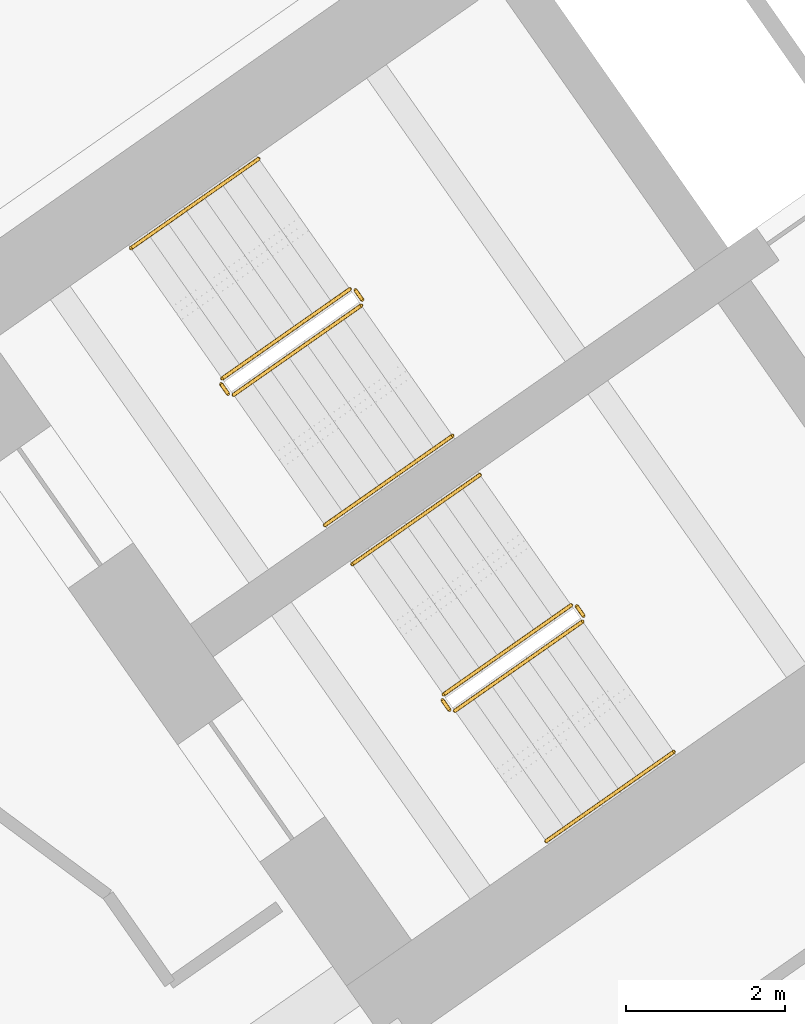
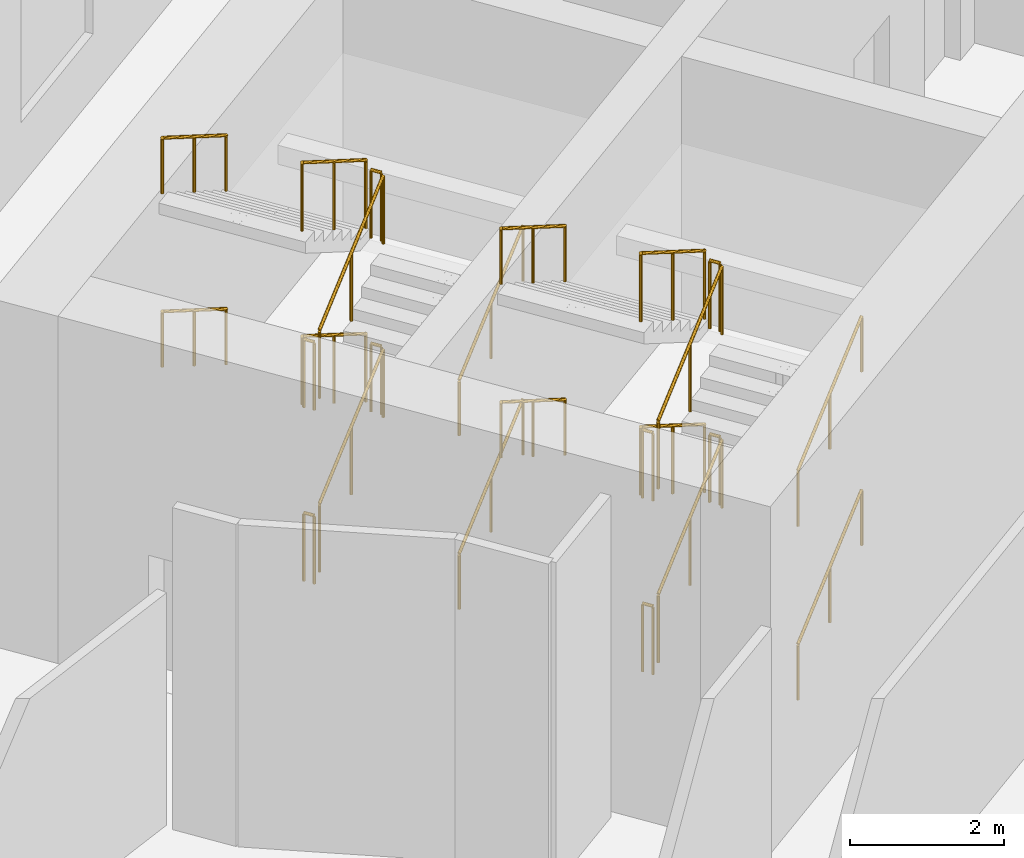
# One storey, part 24 of 26: 24 railings.
"""IFC4 building model written with IfcOpenShell, lengths in metres."""

import ifcopenshell
import ifcopenshell.guid

model = None  # the IFC model being written
_history = None  # IfcOwnerHistory: only IFC2X3 demands one
_inside = {}  # id of a spatial element -> (the spatial element, [elements in it])
_under = {}  # id of a project, library or spatial element -> (it, [spatial elements below it])
_declared = {}  # id of a project -> (the project, [libraries it declares])
_typed = {}  # id of a type object -> (the type object, [elements of that type])
_made_of = {}  # id of a material, layer set ... -> (it, [elements and type objects made of it])


def new_model(schema):
    """Start an empty IFC model of exactly this schema.

    Asked for "IFC4X3", IfcOpenShell would pick the latest addendum, in which some entities
    have other attributes; the version numbers below select the first issue.
    IFC2X3 requires an IfcOwnerHistory on every rooted entity: one is made here for all.
    """
    global model, _history
    if schema == "IFC4X3":
        model = ifcopenshell.file(schema_version=(4, 3, 0, 0))
    else:
        model = ifcopenshell.file(schema=schema)
    _inside.clear()
    _under.clear()
    _declared.clear()
    _typed.clear()
    _made_of.clear()
    _history = None
    if model.schema == "IFC2X3":
        org = make("IfcOrganization", Name="unknown")
        user = make(
            "IfcPersonAndOrganization",
            ThePerson=make("IfcPerson", FamilyName="unknown"),
            TheOrganization=org,
        )
        app = make(
            "IfcApplication",
            ApplicationDeveloper=org,
            Version="unknown",
            ApplicationFullName="unknown",
            ApplicationIdentifier="unknown",
        )
        _history = make(
            "IfcOwnerHistory",
            OwningUser=user,
            OwningApplication=app,
            ChangeAction="ADDED",
            CreationDate=0,
        )
    return model


def make(cls, **values):
    """One entity of the class cls with the attributes given. An attribute that is None is left unset."""
    return model.create_entity(
        cls, **{name: value for name, value in values.items() if value is not None}
    )


def rooted(cls, **values):
    """An entity with a GlobalId (a new one), such as an element, a storey or a relation."""
    return make(cls, GlobalId=ifcopenshell.guid.new(), OwnerHistory=_history, **values)


def si_unit(unit_type, name, prefix=None):
    """IfcSIUnit, for example si_unit("LENGTHUNIT", "METRE", prefix="MILLI")."""
    return make("IfcSIUnit", UnitType=unit_type, Prefix=prefix, Name=name)


def assignment(units):
    """IfcUnitAssignment: the units of a project."""
    return None if units is None else make("IfcUnitAssignment", Units=units)


def point(xyz):
    """IfcCartesianPoint."""
    return None if xyz is None else make("IfcCartesianPoint", Coordinates=xyz)


def direction(xyz):
    """IfcDirection."""
    return None if xyz is None else make("IfcDirection", DirectionRatios=xyz)


def frame(location, z_axis=None, x_axis=None):
    """IfcAxis2Placement3D, a coordinate frame: its origin and axes. An axis left out is left unset."""
    return make(
        "IfcAxis2Placement3D",
        Location=point(location),
        Axis=direction(z_axis),
        RefDirection=direction(x_axis),
    )


def frame_2d(location, x_axis=None):
    """IfcAxis2Placement2D, a coordinate frame in the plane: its origin and x axis."""
    return make(
        "IfcAxis2Placement2D", Location=point(location), RefDirection=direction(x_axis)
    )


def origin():
    """The frame at (0, 0, 0) with its axes left unset."""
    return frame((0.0, 0.0, 0.0))


def origin_2d():
    """The frame at (0, 0) in the plane with its x axis left unset."""
    return frame_2d((0.0, 0.0))


def place(relative_to, where):
    """IfcLocalPlacement: puts the frame where relative to a parent placement (None: the world)."""
    return make(
        "IfcLocalPlacement", PlacementRelTo=relative_to, RelativePlacement=where
    )


def context(
    kind, dimensions, precision=None, world=None, true_north=None, identifier=None
):
    """IfcGeometricRepresentationContext, for example the 3D "Model" context."""
    return make(
        "IfcGeometricRepresentationContext",
        ContextIdentifier=identifier,
        ContextType=kind,
        CoordinateSpaceDimension=dimensions,
        Precision=precision,
        WorldCoordinateSystem=world,
        TrueNorth=true_north,
    )


def subcontext(parent, identifier, kind, view, scale=None):
    """IfcGeometricRepresentationSubContext, for example "Body" below "Model"."""
    return make(
        "IfcGeometricRepresentationSubContext",
        ContextIdentifier=identifier,
        ContextType=kind,
        ParentContext=parent,
        TargetScale=scale,
        TargetView=view,
    )


def project(units=None, contexts=None):
    """IfcProject with its units and contexts."""
    return rooted(
        "IfcProject",
        Name="project",
        RepresentationContexts=contexts,
        UnitsInContext=assignment(units),
    )


def spatial(cls, under=None, at=None, **own):
    """A site, building, storey or space (cls), placed at a placement, below another one or the project."""
    s = rooted(cls, ObjectPlacement=at, **own)
    if under is not None:
        _under.setdefault(under.id(), (under, []))[1].append(s)
    return s


def profile(cls, at=None, kind="AREA", **sizes):
    """A parametric profile (cls). Its sizes go by their IFC names, for example OverallWidth=200.0."""
    return make(cls, ProfileType=kind, Position=at, **sizes)


def circle(**sizes):
    """IfcCircleProfileDef."""
    return profile("IfcCircleProfileDef", **sizes)


def extrude(swept, where, along, depth):
    """IfcExtrudedAreaSolid: the profile swept, set in the frame where, extruded along a direction by depth."""
    return make(
        "IfcExtrudedAreaSolid",
        SweptArea=swept,
        Position=where,
        ExtrudedDirection=direction(along),
        Depth=depth,
    )


def shape(context_of_items, identifier, shape_type, items):
    """IfcShapeRepresentation: the items that make up one representation, for example the "Body"."""
    return make(
        "IfcShapeRepresentation",
        ContextOfItems=context_of_items,
        RepresentationIdentifier=identifier,
        RepresentationType=shape_type,
        Items=items,
    )


def material(Name=None, Category=None):
    """IfcMaterial."""
    return make("IfcMaterial", Name=Name, Category=Category)


def made_of(thing, what):
    """Note that an element or type object is made of a material, layer set ...; save() writes the relation."""
    if what is not None:
        _made_of.setdefault(what.id(), (what, []))[1].append(thing)
    return thing


def type_object(cls, material=None, **own):
    """A type object (cls), such as IfcWallType, which elements share."""
    return made_of(rooted(cls, **own), material)


def element(
    cls,
    number,
    at=None,
    inside=None,
    cuts=None,
    type_object=None,
    material=None,
    context=None,
    identifier="Body",
    shape_type=None,
    held_by="IfcProductDefinitionShape",
    body=None,
    shapes=None,
    **own,
):
    """One element of the class cls, such as IfcWall. Its Tag is "e" and its number.

    at: its placement. inside: the storey or other place that contains it. cuts: it is an
    opening in that element (IfcRelVoidsElement). A single representation is given by context,
    identifier, shape_type and body (its items); several are given by shapes. held_by: the class
    of the entity that holds the representations. save() writes the other relations.
    """
    e = rooted(cls, Tag="e%d" % number, ObjectPlacement=at, **own)
    if body is not None:
        shapes = [shape(context, identifier, shape_type, body)]
    if shapes is not None:
        e.Representation = make(held_by, Representations=shapes)
    if inside is not None:
        _inside.setdefault(inside.id(), (inside, []))[1].append(e)
    if cuts is not None:
        rooted(
            "IfcRelVoidsElement", RelatingBuildingElement=cuts, RelatedOpeningElement=e
        )
    if type_object is not None:
        _typed.setdefault(type_object.id(), (type_object, []))[1].append(e)
    return made_of(e, material)


def aggregate(whole, parts):
    """IfcRelAggregates: a whole, such as a stair, and the parts it consists of."""
    return rooted("IfcRelAggregates", RelatingObject=whole, RelatedObjects=parts)


def save(model, path):
    """Write the relations noted so far, then the file.

    IfcRelAggregates (storeys below a building ...), IfcRelContainedInSpatialStructure (elements
    in a storey), IfcRelDefinesByType, IfcRelAssociatesMaterial and IfcRelDeclares: one each for
    every whole, place, type object, material and project.
    """
    for whole, parts in _under.values():
        aggregate(whole, parts)
    for where, things in _inside.values():
        rooted(
            "IfcRelContainedInSpatialStructure",
            RelatedElements=things,
            RelatingStructure=where,
        )
    for kind, things in _typed.values():
        rooted("IfcRelDefinesByType", RelatedObjects=things, RelatingType=kind)
    for what, things in _made_of.values():
        rooted("IfcRelAssociatesMaterial", RelatedObjects=things, RelatingMaterial=what)
    for by, libraries in _declared.values():
        rooted("IfcRelDeclares", RelatingContext=by, RelatedDefinitions=libraries)
    model.write(path)


model = new_model("IFC4")

# Units and contexts
model_context = context("Model", 3, precision=1e-05, world=origin(), true_north=direction((0.0, 1.0)))
body_context = subcontext(model_context, "Body", "Model", "MODEL_VIEW")
ifc_project = project(units=[si_unit("LENGTHUNIT", "METRE"), si_unit("AREAUNIT", "SQUARE_METRE"), si_unit("VOLUMEUNIT", "CUBIC_METRE"), si_unit("PLANEANGLEUNIT", "RADIAN"), si_unit("MASSUNIT", "GRAM", prefix="KILO")], contexts=[model_context])

# Site, building, storey
site_placement = place(None, origin())
site = spatial("IfcSite", under=ifc_project, at=site_placement, CompositionType="ELEMENT")
building_placement = place(site_placement, origin())
building = spatial("IfcBuilding", under=site, at=building_placement, Name="Tel Ilan Convention Tower", CompositionType="ELEMENT")
storey_placement = place(building_placement, frame((0.0, 0.0, 37.5)))
storey = spatial("IfcBuildingStorey", under=building, at=storey_placement, Name="L05", CompositionType="ELEMENT", Elevation=37.5)

# Railings
ifc_material_1 = material(Name="Stainless Steel Grade 316", Category="steel")
railing_type_1 = type_object("IfcRailingType", Name="Stainless Steel Stair Guard 1100 mm", PredefinedType="GUARDRAIL", material=ifc_material_1)
railing_1_placement = place(storey_placement, frame((-23.535400390625, -8.056396484375, 0.171875)))
element("IfcRailing", 1, at=railing_1_placement, inside=storey, type_object=railing_type_1, Name="L05 S1 stair guard 1", PredefinedType="GUARDRAIL", context=body_context, shape_type="SweptSolid", body=[
    extrude(circle(Radius=0.02392578125, at=origin_2d()), frame((0.0, 0.0, 1.076171875), z_axis=(0.698094737943, 0.488857400886, 0.523146421621), x_axis=(-0.573612813533, 0.819126571508, 0.0)), (0.0, 0.0, 1.0), 2.2998046875),
    extrude(circle(Radius=0.02099609375, at=origin_2d()), origin(), (0.0, 0.0, 1.0), 1.052001953125),
    extrude(circle(Radius=0.02099609375, at=origin_2d()), frame((0.802734375, 0.56201171875, 0.6015625)), (0.0, 0.0, 1.0), 1.052001953125),
    extrude(circle(Radius=0.02099609375, at=origin_2d()), frame((1.60546875, 1.124267578125, 1.203125)), (0.0, 0.0, 1.0), 1.052001953125),
])
railing_2_placement = place(storey_placement, frame((-21.91748046875, -6.862548828125, 1.375)))
element("IfcRailing", 2, at=railing_2_placement, inside=storey, type_object=railing_type_1, Name="L05 S1 stair guard 2", PredefinedType="GUARDRAIL", context=body_context, shape_type="SweptSolid", body=[
    extrude(circle(Radius=0.02392578125, at=origin_2d()), frame((0.0, 0.0, 1.076171875), z_axis=(-0.57368046593, 0.819079192149, 0.0), x_axis=(-0.819079192149, -0.57368046593, 0.0)), (0.0, 0.0, 1.0), 0.150146484375),
    extrude(circle(Radius=0.02099609375, at=origin_2d()), origin(), (0.0, 0.0, 1.0), 1.052001953125),
    extrude(circle(Radius=0.02099609375, at=origin_2d()), frame((-0.086181640625, 0.123046875, 0.0)), (0.0, 0.0, 1.0), 1.052001953125),
])
railing_3_placement = place(storey_placement, frame((-22.0732421875, -6.727294921875, 1.546875)))
element("IfcRailing", 3, at=railing_3_placement, inside=storey, type_object=railing_type_1, Name="L05 S1 stair guard 3", PredefinedType="GUARDRAIL", context=body_context, shape_type="SweptSolid", body=[
    extrude(circle(Radius=0.02392578125, at=origin_2d()), frame((0.0, 0.0, 1.076171875), z_axis=(-0.698094737943, -0.488857400886, 0.523146421621), x_axis=(0.573612813533, -0.819126571508, 0.0)), (0.0, 0.0, 1.0), 2.2998046875),
    extrude(circle(Radius=0.02099609375, at=origin_2d()), origin(), (0.0, 0.0, 1.0), 1.052001953125),
    extrude(circle(Radius=0.02099609375, at=origin_2d()), frame((-0.802734375, -0.56201171875, 0.6015625)), (0.0, 0.0, 1.0), 1.052001953125),
    extrude(circle(Radius=0.02099609375, at=origin_2d()), frame((-1.60546875, -1.124267578125, 1.203125)), (0.0, 0.0, 1.0), 1.052001953125),
])
railing_4_placement = place(storey_placement, frame((-23.60498046875, -8.0439453125, 2.75)))
element("IfcRailing", 4, at=railing_4_placement, inside=storey, type_object=railing_type_1, Name="L05 S1 stair guard 4", PredefinedType="GUARDRAIL", context=body_context, shape_type="SweptSolid", body=[
    extrude(circle(Radius=0.02392578125, at=origin_2d()), frame((0.0, 0.0, 1.076171875), z_axis=(-0.574444878118, 0.818543268254, 0.0), x_axis=(-0.818543268254, -0.574444878118, 0.0)), (0.0, 0.0, 1.0), 0.150146484375),
    extrude(circle(Radius=0.02099609375, at=origin_2d()), origin(), (0.0, 0.0, 1.0), 1.052001953125),
    extrude(circle(Radius=0.02099609375, at=origin_2d()), frame((-0.086181640625, 0.122802734375, 0.0)), (0.0, 0.0, 1.0), 1.052001953125),
])
railing_5_placement = place(storey_placement, frame((-23.535400390625, -8.056396484375, 2.921875)))
element("IfcRailing", 5, at=railing_5_placement, inside=storey, type_object=railing_type_1, Name="L05 S1 stair guard 5", PredefinedType="GUARDRAIL", context=body_context, shape_type="SweptSolid", body=[
    extrude(circle(Radius=0.02392578125, at=origin_2d()), frame((0.0, 0.0, 1.076171875), z_axis=(0.698094737943, 0.488857400886, 0.523146421621), x_axis=(-0.573612813533, 0.819126571508, 0.0)), (0.0, 0.0, 1.0), 2.2998046875),
    extrude(circle(Radius=0.02099609375, at=origin_2d()), origin(), (0.0, 0.0, 1.0), 1.052001953125),
    extrude(circle(Radius=0.02099609375, at=origin_2d()), frame((0.802734375, 0.56201171875, 0.6015625)), (0.0, 0.0, 1.0), 1.052001953125),
    extrude(circle(Radius=0.02099609375, at=origin_2d()), frame((1.60546875, 1.124267578125, 1.203125)), (0.0, 0.0, 1.0), 1.052001953125),
])
railing_6_placement = place(storey_placement, frame((-21.91748046875, -6.862548828125, 4.125)))
element("IfcRailing", 6, at=railing_6_placement, inside=storey, type_object=railing_type_1, Name="L05 S1 stair guard 6", PredefinedType="GUARDRAIL", context=body_context, shape_type="SweptSolid", body=[
    extrude(circle(Radius=0.02392578125, at=origin_2d()), frame((0.0, 0.0, 1.076171875), z_axis=(-0.57368046593, 0.819079192149, 0.0), x_axis=(-0.819079192149, -0.57368046593, 0.0)), (0.0, 0.0, 1.0), 0.150146484375),
    extrude(circle(Radius=0.02099609375, at=origin_2d()), origin(), (0.0, 0.0, 1.0), 1.052001953125),
    extrude(circle(Radius=0.02099609375, at=origin_2d()), frame((-0.086181640625, 0.123046875, 0.0)), (0.0, 0.0, 1.0), 1.052001953125),
])
railing_7_placement = place(storey_placement, frame((-22.0732421875, -6.727294921875, 4.296875)))
element("IfcRailing", 7, at=railing_7_placement, inside=storey, type_object=railing_type_1, Name="L05 S1 stair guard 7", PredefinedType="GUARDRAIL", context=body_context, shape_type="SweptSolid", body=[
    extrude(circle(Radius=0.02392578125, at=origin_2d()), frame((0.0, 0.0, 1.076171875), z_axis=(-0.698094737943, -0.488857400886, 0.523146421621), x_axis=(0.573612813533, -0.819126571508, 0.0)), (0.0, 0.0, 1.0), 2.2998046875),
    extrude(circle(Radius=0.02099609375, at=origin_2d()), origin(), (0.0, 0.0, 1.0), 1.052001953125),
    extrude(circle(Radius=0.02099609375, at=origin_2d()), frame((-0.802734375, -0.56201171875, 0.6015625)), (0.0, 0.0, 1.0), 1.052001953125),
    extrude(circle(Radius=0.02099609375, at=origin_2d()), frame((-1.60546875, -1.124267578125, 1.203125)), (0.0, 0.0, 1.0), 1.052001953125),
])
railing_8_placement = place(storey_placement, frame((-23.60498046875, -8.0439453125, 0.0)))
element("IfcRailing", 8, at=railing_8_placement, inside=storey, type_object=railing_type_1, Name="L05 S1 stair guard 8", PredefinedType="GUARDRAIL", context=body_context, shape_type="SweptSolid", body=[
    extrude(circle(Radius=0.02392578125, at=origin_2d()), frame((0.0, 0.0, 1.076171875), z_axis=(-0.574444878118, 0.818543268254, 0.0), x_axis=(-0.818543268254, -0.574444878118, 0.0)), (0.0, 0.0, 1.0), 0.150146484375),
    extrude(circle(Radius=0.02099609375, at=origin_2d()), origin(), (0.0, 0.0, 1.0), 1.052001953125),
    extrude(circle(Radius=0.02099609375, at=origin_2d()), frame((-0.086181640625, 0.122802734375, 0.0)), (0.0, 0.0, 1.0), 1.052001953125),
])
railing_9_placement = place(storey_placement, frame((-20.753662109375, -12.029296875, 0.171875)))
element("IfcRailing", 9, at=railing_9_placement, inside=storey, type_object=railing_type_1, Name="L05 S2 stair guard 1", PredefinedType="GUARDRAIL", context=body_context, shape_type="SweptSolid", body=[
    extrude(circle(Radius=0.02392578125, at=origin_2d()), frame((0.0, 0.0, 1.076171875), z_axis=(0.698149155229, 0.488821173762, 0.523107653485), x_axis=(-0.573554290663, 0.819167550421, 0.0)), (0.0, 0.0, 1.0), 2.300048828125),
    extrude(circle(Radius=0.02099609375, at=origin_2d()), origin(), (0.0, 0.0, 1.0), 1.052001953125),
    extrude(circle(Radius=0.02099609375, at=origin_2d()), frame((0.802734375, 0.56201171875, 0.6015625)), (0.0, 0.0, 1.0), 1.052001953125),
    extrude(circle(Radius=0.02099609375, at=origin_2d()), frame((1.605712890625, 1.124267578125, 1.203125)), (0.0, 0.0, 1.0), 1.052001953125),
])
railing_10_placement = place(storey_placement, frame((-19.1357421875, -10.83544921875, 1.375)))
element("IfcRailing", 10, at=railing_10_placement, inside=storey, type_object=railing_type_1, Name="L05 S2 stair guard 2", PredefinedType="GUARDRAIL", context=body_context, shape_type="SweptSolid", body=[
    extrude(circle(Radius=0.02392578125, at=origin_2d()), frame((0.0, 0.0, 1.076171875), z_axis=(-0.572588637393, 0.819842821722, 0.0), x_axis=(-0.819842821722, -0.572588637393, 0.0)), (0.0, 0.0, 1.0), 0.150146484375),
    extrude(circle(Radius=0.02099609375, at=origin_2d()), origin(), (0.0, 0.0, 1.0), 1.052001953125),
    extrude(circle(Radius=0.02099609375, at=origin_2d()), frame((-0.0859375, 0.123046875, 0.0)), (0.0, 0.0, 1.0), 1.052001953125),
])
railing_11_placement = place(storey_placement, frame((-19.29150390625, -10.7001953125, 1.546875)))
element("IfcRailing", 11, at=railing_11_placement, inside=storey, type_object=railing_type_1, Name="L05 S2 stair guard 3", PredefinedType="GUARDRAIL", context=body_context, shape_type="SweptSolid", body=[
    extrude(circle(Radius=0.02392578125, at=origin_2d()), frame((0.0, 0.0, 1.076171875), z_axis=(-0.698094737943, -0.488857400886, 0.523146421621), x_axis=(0.573612813533, -0.819126571508, 0.0)), (0.0, 0.0, 1.0), 2.2998046875),
    extrude(circle(Radius=0.02099609375, at=origin_2d()), origin(), (0.0, 0.0, 1.0), 1.052001953125),
    extrude(circle(Radius=0.02099609375, at=origin_2d()), frame((-0.802734375, -0.56201171875, 0.6015625)), (0.0, 0.0, 1.0), 1.052001953125),
    extrude(circle(Radius=0.02099609375, at=origin_2d()), frame((-1.60546875, -1.124267578125, 1.203125)), (0.0, 0.0, 1.0), 1.052001953125),
])
railing_12_placement = place(storey_placement, frame((-20.8232421875, -12.016845703125, 2.75)))
element("IfcRailing", 12, at=railing_12_placement, inside=storey, type_object=railing_type_1, Name="L05 S2 stair guard 4", PredefinedType="GUARDRAIL", context=body_context, shape_type="SweptSolid", body=[
    extrude(circle(Radius=0.02392578125, at=origin_2d()), frame((0.0, 0.0, 1.076171875), z_axis=(-0.573353020881, 0.819308436089, 0.0), x_axis=(-0.819308436089, -0.573353020881, 0.0)), (0.0, 0.0, 1.0), 0.14990234375),
    extrude(circle(Radius=0.02099609375, at=origin_2d()), origin(), (0.0, 0.0, 1.0), 1.052001953125),
    extrude(circle(Radius=0.02099609375, at=origin_2d()), frame((-0.0859375, 0.122802734375, 0.0)), (0.0, 0.0, 1.0), 1.052001953125),
])
railing_13_placement = place(storey_placement, frame((-20.753662109375, -12.029296875, 2.921875)))
element("IfcRailing", 13, at=railing_13_placement, inside=storey, type_object=railing_type_1, Name="L05 S2 stair guard 5", PredefinedType="GUARDRAIL", context=body_context, shape_type="SweptSolid", body=[
    extrude(circle(Radius=0.02392578125, at=origin_2d()), frame((0.0, 0.0, 1.076171875), z_axis=(0.698149155229, 0.488821173762, 0.523107653485), x_axis=(-0.573554290663, 0.819167550421, 0.0)), (0.0, 0.0, 1.0), 2.300048828125),
    extrude(circle(Radius=0.02099609375, at=origin_2d()), origin(), (0.0, 0.0, 1.0), 1.052001953125),
    extrude(circle(Radius=0.02099609375, at=origin_2d()), frame((0.802734375, 0.56201171875, 0.6015625)), (0.0, 0.0, 1.0), 1.052001953125),
    extrude(circle(Radius=0.02099609375, at=origin_2d()), frame((1.605712890625, 1.124267578125, 1.203125)), (0.0, 0.0, 1.0), 1.052001953125),
])
railing_14_placement = place(storey_placement, frame((-19.1357421875, -10.83544921875, 4.125)))
element("IfcRailing", 14, at=railing_14_placement, inside=storey, type_object=railing_type_1, Name="L05 S2 stair guard 6", PredefinedType="GUARDRAIL", context=body_context, shape_type="SweptSolid", body=[
    extrude(circle(Radius=0.02392578125, at=origin_2d()), frame((0.0, 0.0, 1.076171875), z_axis=(-0.572588637393, 0.819842821722, 0.0), x_axis=(-0.819842821722, -0.572588637393, 0.0)), (0.0, 0.0, 1.0), 0.150146484375),
    extrude(circle(Radius=0.02099609375, at=origin_2d()), origin(), (0.0, 0.0, 1.0), 1.052001953125),
    extrude(circle(Radius=0.02099609375, at=origin_2d()), frame((-0.0859375, 0.123046875, 0.0)), (0.0, 0.0, 1.0), 1.052001953125),
])
railing_15_placement = place(storey_placement, frame((-19.29150390625, -10.7001953125, 4.296875)))
element("IfcRailing", 15, at=railing_15_placement, inside=storey, type_object=railing_type_1, Name="L05 S2 stair guard 7", PredefinedType="GUARDRAIL", context=body_context, shape_type="SweptSolid", body=[
    extrude(circle(Radius=0.02392578125, at=origin_2d()), frame((0.0, 0.0, 1.076171875), z_axis=(-0.698094737943, -0.488857400886, 0.523146421621), x_axis=(0.573612813533, -0.819126571508, 0.0)), (0.0, 0.0, 1.0), 2.2998046875),
    extrude(circle(Radius=0.02099609375, at=origin_2d()), origin(), (0.0, 0.0, 1.0), 1.052001953125),
    extrude(circle(Radius=0.02099609375, at=origin_2d()), frame((-0.802734375, -0.56201171875, 0.6015625)), (0.0, 0.0, 1.0), 1.052001953125),
    extrude(circle(Radius=0.02099609375, at=origin_2d()), frame((-1.60546875, -1.124267578125, 1.203125)), (0.0, 0.0, 1.0), 1.052001953125),
])
railing_16_placement = place(storey_placement, frame((-20.8232421875, -12.016845703125, 0.0)))
element("IfcRailing", 16, at=railing_16_placement, inside=storey, type_object=railing_type_1, Name="L05 S2 stair guard 8", PredefinedType="GUARDRAIL", context=body_context, shape_type="SweptSolid", body=[
    extrude(circle(Radius=0.02392578125, at=origin_2d()), frame((0.0, 0.0, 1.076171875), z_axis=(-0.573353020881, 0.819308436089, 0.0), x_axis=(-0.819308436089, -0.573353020881, 0.0)), (0.0, 0.0, 1.0), 0.14990234375),
    extrude(circle(Radius=0.02099609375, at=origin_2d()), origin(), (0.0, 0.0, 1.0), 1.052001953125),
    extrude(circle(Radius=0.02099609375, at=origin_2d()), frame((-0.0859375, 0.122802734375, 0.0)), (0.0, 0.0, 1.0), 1.052001953125),
])
ifc_material_2 = material(Name="Stainless Steel Grade 316", Category="steel")
railing_type_2 = type_object("IfcRailingType", Name="Stainless Steel Stair Handrail 900 mm", PredefinedType="HANDRAIL", material=ifc_material_2)
railing_17_placement = place(storey_placement, frame((-22.38818359375, -9.694580078125, 0.171875)))
element("IfcRailing", 17, at=railing_17_placement, inside=storey, type_object=railing_type_2, Name="L05 S1 stair handrail 1", PredefinedType="HANDRAIL", context=body_context, shape_type="SweptSolid", body=[
    extrude(circle(Radius=0.02392578125, at=origin_2d()), frame((0.0, 0.0, 0.8759765625), z_axis=(0.698094737943, 0.488857400886, 0.523146421621), x_axis=(-0.573612813533, 0.819126571508, 0.0)), (0.0, 0.0, 1.0), 2.2998046875),
    extrude(circle(Radius=0.02099609375, at=origin_2d()), origin(), (0.0, 0.0, 1.0), 0.851806640625),
    extrude(circle(Radius=0.02099609375, at=origin_2d()), frame((0.802734375, 0.56201171875, 0.6015625)), (0.0, 0.0, 1.0), 0.851806640625),
    extrude(circle(Radius=0.02099609375, at=origin_2d()), frame((1.60546875, 1.124267578125, 1.203125)), (0.0, 0.0, 1.0), 0.851806640625),
])
railing_18_placement = place(storey_placement, frame((-23.220458984375, -5.089111328125, 1.546875)))
element("IfcRailing", 18, at=railing_18_placement, inside=storey, type_object=railing_type_2, Name="L05 S1 stair handrail 2", PredefinedType="HANDRAIL", context=body_context, shape_type="SweptSolid", body=[
    extrude(circle(Radius=0.02392578125, at=origin_2d()), frame((0.0, 0.0, 0.8759765625), z_axis=(-0.698130965226, -0.488776606433, 0.523173570048), x_axis=(0.573529226717, -0.819185098803, 0.0)), (0.0, 0.0, 1.0), 2.299560546875),
    extrude(circle(Radius=0.02099609375, at=origin_2d()), origin(), (0.0, 0.0, 1.0), 0.851806640625),
    extrude(circle(Radius=0.02099609375, at=origin_2d()), frame((-0.802734375, -0.56201171875, 0.6015625)), (0.0, 0.0, 1.0), 0.851806640625),
    extrude(circle(Radius=0.02099609375, at=origin_2d()), frame((-1.60546875, -1.1240234375, 1.203125)), (0.0, 0.0, 1.0), 0.851806640625),
])
railing_19_placement = place(storey_placement, frame((-22.38818359375, -9.694580078125, 2.921875)))
element("IfcRailing", 19, at=railing_19_placement, inside=storey, type_object=railing_type_2, Name="L05 S1 stair handrail 3", PredefinedType="HANDRAIL", context=body_context, shape_type="SweptSolid", body=[
    extrude(circle(Radius=0.02392578125, at=origin_2d()), frame((0.0, 0.0, 0.8759765625), z_axis=(0.698094737943, 0.488857400886, 0.523146421621), x_axis=(-0.573612813533, 0.819126571508, 0.0)), (0.0, 0.0, 1.0), 2.2998046875),
    extrude(circle(Radius=0.02099609375, at=origin_2d()), origin(), (0.0, 0.0, 1.0), 0.851806640625),
    extrude(circle(Radius=0.02099609375, at=origin_2d()), frame((0.802734375, 0.56201171875, 0.6015625)), (0.0, 0.0, 1.0), 0.851806640625),
    extrude(circle(Radius=0.02099609375, at=origin_2d()), frame((1.60546875, 1.124267578125, 1.203125)), (0.0, 0.0, 1.0), 0.851806640625),
])
railing_20_placement = place(storey_placement, frame((-23.220458984375, -5.089111328125, 4.296875)))
element("IfcRailing", 20, at=railing_20_placement, inside=storey, type_object=railing_type_2, Name="L05 S1 stair handrail 4", PredefinedType="HANDRAIL", context=body_context, shape_type="SweptSolid", body=[
    extrude(circle(Radius=0.02392578125, at=origin_2d()), frame((0.0, 0.0, 0.8759765625), z_axis=(-0.698130965226, -0.488776606433, 0.523173570048), x_axis=(0.573529226717, -0.819185098803, 0.0)), (0.0, 0.0, 1.0), 2.299560546875),
    extrude(circle(Radius=0.02099609375, at=origin_2d()), origin(), (0.0, 0.0, 1.0), 0.851806640625),
    extrude(circle(Radius=0.02099609375, at=origin_2d()), frame((-0.802734375, -0.56201171875, 0.6015625)), (0.0, 0.0, 1.0), 0.851806640625),
    extrude(circle(Radius=0.02099609375, at=origin_2d()), frame((-1.60546875, -1.1240234375, 1.203125)), (0.0, 0.0, 1.0), 0.851806640625),
])
railing_21_placement = place(storey_placement, frame((-19.6064453125, -13.66748046875, 0.171875)))
element("IfcRailing", 21, at=railing_21_placement, inside=storey, type_object=railing_type_2, Name="L05 S2 stair handrail 1", PredefinedType="HANDRAIL", context=body_context, shape_type="SweptSolid", body=[
    extrude(circle(Radius=0.02392578125, at=origin_2d()), frame((0.0, 0.0, 0.8759765625), z_axis=(0.698094737943, 0.488857400886, 0.523146421621), x_axis=(-0.573612813533, 0.819126571508, 0.0)), (0.0, 0.0, 1.0), 2.2998046875),
    extrude(circle(Radius=0.02099609375, at=origin_2d()), origin(), (0.0, 0.0, 1.0), 0.851806640625),
    extrude(circle(Radius=0.02099609375, at=origin_2d()), frame((0.802734375, 0.56201171875, 0.6015625)), (0.0, 0.0, 1.0), 0.851806640625),
    extrude(circle(Radius=0.02099609375, at=origin_2d()), frame((1.60546875, 1.124267578125, 1.203125)), (0.0, 0.0, 1.0), 0.851806640625),
])
railing_22_placement = place(storey_placement, frame((-20.4384765625, -9.06201171875, 1.546875)))
element("IfcRailing", 22, at=railing_22_placement, inside=storey, type_object=railing_type_2, Name="L05 S2 stair handrail 2", PredefinedType="HANDRAIL", context=body_context, shape_type="SweptSolid", body=[
    extrude(circle(Radius=0.02392578125, at=origin_2d()), frame((0.0, 0.0, 0.8759765625), z_axis=(-0.698185379967, -0.488740381537, 0.523134795876), x_axis=(0.573470704013, -0.8192260687, 0.0)), (0.0, 0.0, 1.0), 2.2998046875),
    extrude(circle(Radius=0.02099609375, at=origin_2d()), origin(), (0.0, 0.0, 1.0), 0.851806640625),
    extrude(circle(Radius=0.02099609375, at=origin_2d()), frame((-0.802734375, -0.56201171875, 0.6015625)), (0.0, 0.0, 1.0), 0.851806640625),
    extrude(circle(Radius=0.02099609375, at=origin_2d()), frame((-1.605712890625, -1.1240234375, 1.203125)), (0.0, 0.0, 1.0), 0.851806640625),
])
railing_23_placement = place(storey_placement, frame((-19.6064453125, -13.66748046875, 2.921875)))
element("IfcRailing", 23, at=railing_23_placement, inside=storey, type_object=railing_type_2, Name="L05 S2 stair handrail 3", PredefinedType="HANDRAIL", context=body_context, shape_type="SweptSolid", body=[
    extrude(circle(Radius=0.02392578125, at=origin_2d()), frame((0.0, 0.0, 0.8759765625), z_axis=(0.698094737943, 0.488857400886, 0.523146421621), x_axis=(-0.573612813533, 0.819126571508, 0.0)), (0.0, 0.0, 1.0), 2.2998046875),
    extrude(circle(Radius=0.02099609375, at=origin_2d()), origin(), (0.0, 0.0, 1.0), 0.851806640625),
    extrude(circle(Radius=0.02099609375, at=origin_2d()), frame((0.802734375, 0.56201171875, 0.6015625)), (0.0, 0.0, 1.0), 0.851806640625),
    extrude(circle(Radius=0.02099609375, at=origin_2d()), frame((1.60546875, 1.124267578125, 1.203125)), (0.0, 0.0, 1.0), 0.851806640625),
])
railing_24_placement = place(storey_placement, frame((-20.4384765625, -9.06201171875, 4.296875)))
element("IfcRailing", 24, at=railing_24_placement, inside=storey, type_object=railing_type_2, Name="L05 S2 stair handrail 4", PredefinedType="HANDRAIL", context=body_context, shape_type="SweptSolid", body=[
    extrude(circle(Radius=0.02392578125, at=origin_2d()), frame((0.0, 0.0, 0.8759765625), z_axis=(-0.698185379967, -0.488740381537, 0.523134795876), x_axis=(0.573470704013, -0.8192260687, 0.0)), (0.0, 0.0, 1.0), 2.2998046875),
    extrude(circle(Radius=0.02099609375, at=origin_2d()), origin(), (0.0, 0.0, 1.0), 0.851806640625),
    extrude(circle(Radius=0.02099609375, at=origin_2d()), frame((-0.802734375, -0.56201171875, 0.6015625)), (0.0, 0.0, 1.0), 0.851806640625),
    extrude(circle(Radius=0.02099609375, at=origin_2d()), frame((-1.605712890625, -1.1240234375, 1.203125)), (0.0, 0.0, 1.0), 0.851806640625),
])

save(model, "model.ifc")
